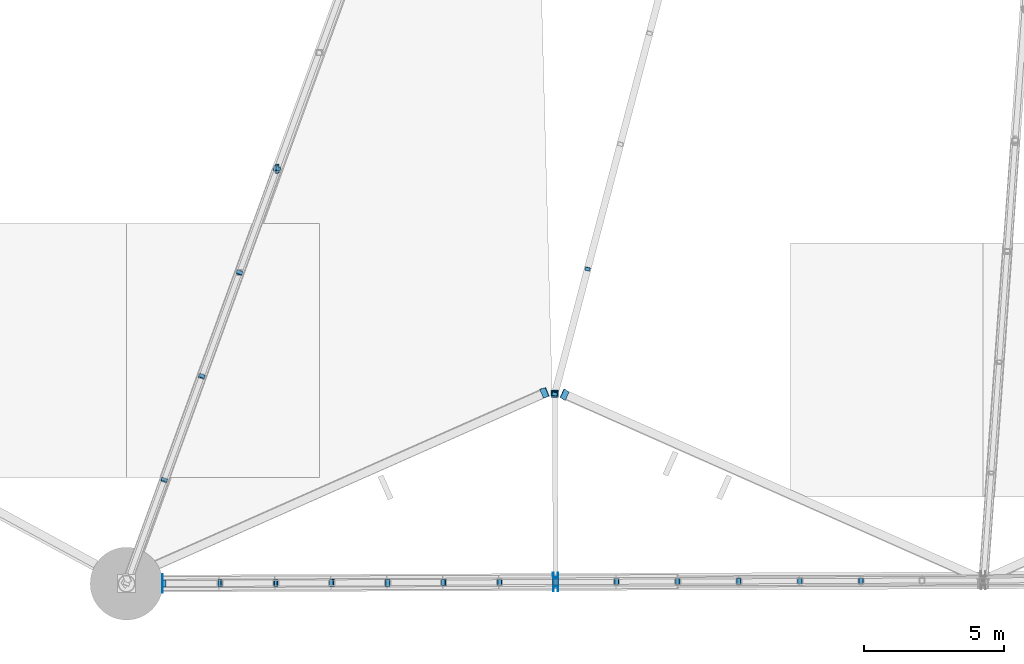
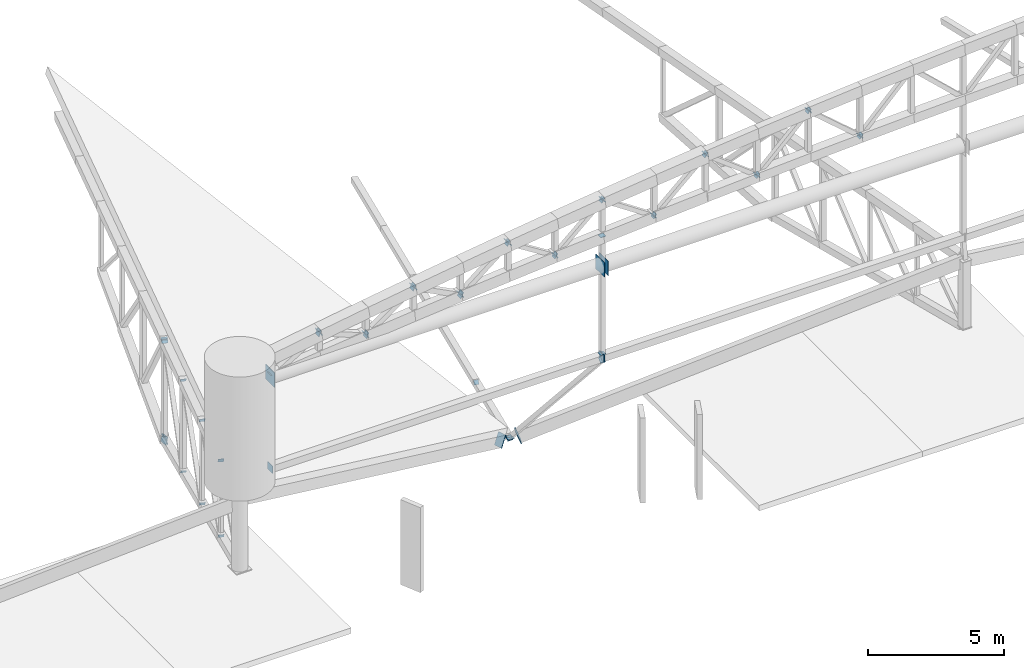
# One storey, part 127 of 188: 50 discrete accessories.
"""IFC4 building model written with IfcOpenShell, lengths in metres."""

from ifc_helpers import new_model, si_unit, direction, frame, origin, origin_2d, place, context, subcontext, project, spatial, rectangle, extrude, material, material_profile, profile_set, type_object, element, save


model = new_model("IFC4")

# Units and contexts
model_context = context("Model", 3, precision=1e-05, world=origin(), true_north=direction((0.0, 1.0)))
body_context = subcontext(model_context, "Body", "Model", "MODEL_VIEW")
ifc_project = project(units=[si_unit("LENGTHUNIT", "METRE"), si_unit("AREAUNIT", "SQUARE_METRE"), si_unit("VOLUMEUNIT", "CUBIC_METRE"), si_unit("PLANEANGLEUNIT", "RADIAN"), si_unit("MASSUNIT", "GRAM", prefix="KILO")], contexts=[model_context])

# Site, building, storey
site_placement = place(None, origin())
site = spatial("IfcSite", under=ifc_project, at=site_placement, CompositionType="ELEMENT")
building_placement = place(site_placement, origin())
building = spatial("IfcBuilding", under=site, at=building_placement, Name="Meseta Stadium", CompositionType="ELEMENT")
storey_placement = place(building_placement, frame((0.0, 0.0, 30.0)))
storey = spatial("IfcBuildingStorey", under=building, at=storey_placement, Name="ROOF", CompositionType="ELEMENT", Elevation=30.0)

# Discrete accessories
ifc_material_1 = material(Name="Steel S355", Category="steel")
ifc_material_profile_1 = material_profile(ifc_material_1, rectangle(XDim=0.179931640625, YDim=0.179931640625, at=origin_2d()), Name="PL 180x180")
ifc_profile_set_1 = profile_set([ifc_material_profile_1], Name="Steel S355")
discrete_accessory_type_1 = type_object("IfcDiscreteAccessoryType", Name="End plate 180x180x20", PredefinedType="ANCHORPLATE", material=ifc_profile_set_1)
for number, where, z_axis, x_axis, name in (
    (1, (-21.82470703125, -94.128173828125, 3.093994140625), (-0.19574886238, -0.746292537825, 0.636183802736), (0.967279624391, -0.253712688365, 0.0), "End plate of ROOF TRUSS RT-45 diagonal"),
    (2, (-23.0, -98.60009765625, 3.740234375), (-0.194228544194, -0.740496324741, 0.643382052644), (0.967279624391, -0.253712688365, 0.0), "End plate of ROOF TRUSS RT-45 diagonal"),
):
    element("IfcDiscreteAccessory", number, at=place(storey_placement, frame(where, z_axis=z_axis, x_axis=x_axis)), inside=storey, type_object=discrete_accessory_type_1, Name=name, PredefinedType="ANCHORPLATE", context=body_context, shape_type="SweptSolid", body=[
        extrude(rectangle(XDim=0.179931640625, YDim=0.179931640625, at=origin_2d()), origin(), (0.0, 0.0, 1.0), 0.02001953125),
    ])
ifc_material_2 = material(Name="Steel S355", Category="steel")
ifc_material_profile_2 = material_profile(ifc_material_2, rectangle(XDim=0.219970703125, YDim=0.219970703125, at=origin_2d()), Name="PL 220x220")
ifc_profile_set_2 = profile_set([ifc_material_profile_2], Name="Steel S355")
discrete_accessory_type_2 = type_object("IfcDiscreteAccessoryType", Name="End plate 220x220x20", PredefinedType="ANCHORPLATE", material=ifc_profile_set_2)
for number, where, z_axis, x_axis, name in (
    (3, (-32.938720703125, -90.536376953125, 6.71142578125), (-0.269074148762, -0.733838587532, -0.623762799402), (0.938876315887, -0.344254649158, 0.0), "End plate of ROOF TRUSS RT-44 diagonal"),
    (4, (-34.291259765625, -94.263427734375, 3.556396484375), (-0.269074148762, -0.733838587532, -0.623762799402), (0.938876315887, -0.344254649158, 0.0), "End plate of ROOF TRUSS RT-44 diagonal"),
    (5, (-34.28564453125, -94.248046875, 7.638916015625), (-0.280843051262, -0.76926574911, -0.573896669971), (0.93935731982, -0.342939973903, 0.0), "End plate of ROOF TRUSS RT-44 diagonal"),
    (6, (-35.638671875, -97.9755859375, 4.841796875), (-0.280843051262, -0.76926574911, -0.573896669971), (0.93935731982, -0.342939973903, 0.0), "End plate of ROOF TRUSS RT-44 diagonal"),
    (7, (-35.6328125, -97.95947265625, 8.56640625), (-0.291450207949, -0.801488071859, -0.522181622575), (0.939793423488, -0.341743063087, 0.0), "End plate of ROOF TRUSS RT-44 diagonal"),
    (8, (-36.986083984375, -101.687744140625, 6.127197265625), (-0.2802794651, -0.804280204199, -0.524000739099), (0.944303613372, -0.32907550163, 0.0), "End plate of ROOF TRUSS RT-44 diagonal"),
    (9, (-36.97998046875, -101.671142578125, 9.49365234375), (-0.305583285667, -0.831186537015, -0.464486594215), (0.938578553396, -0.345065644631, 0.0), "End plate of ROOF TRUSS RT-44 diagonal"),
):
    element("IfcDiscreteAccessory", number, at=place(storey_placement, frame(where, z_axis=z_axis, x_axis=x_axis)), inside=storey, type_object=discrete_accessory_type_2, Name=name, PredefinedType="ANCHORPLATE", context=body_context, shape_type="SweptSolid", body=[
        extrude(rectangle(XDim=0.219970703125, YDim=0.219970703125, at=origin_2d()), origin(), (0.0, 0.0, 1.0), 0.02001953125),
    ])
discrete_accessory_1_placement = place(storey_placement, frame((-26.99658203125, -105.3564453125, 17.975830078125), z_axis=(0.846574631154, 0.012093923302, -0.532132625297), x_axis=(-0.014284256783, 0.9998979748, 0.0)))
element("IfcDiscreteAccessory", 10, at=discrete_accessory_1_placement, inside=storey, type_object=discrete_accessory_type_2, Name="End plate of GABLE ARCH GA-S diagonal", PredefinedType="ANCHORPLATE", context=body_context, shape_type="SweptSolid", body=[
    extrude(rectangle(XDim=0.219970703125, YDim=0.219970703125, at=origin_2d()), origin(), (0.0, 0.0, 1.0), 0.020263671875),
])
for number, where, z_axis, x_axis, name in (
    (11, (-24.976806640625, -105.3486328125, 16.70166015625), (0.8431579539, 0.0, -0.537665941617), (0.0, 1.0, 0.0), "End plate of GABLE ARCH GA-S diagonal"),
    (12, (-24.99169921875, -105.3486328125, 16.688232421875), (0.742688444175, 0.0, 0.669637121797), (0.0, 1.0, 0.0), "End plate of GABLE ARCH GA-S diagonal"),
    (13, (-22.97412109375, -105.3408203125, 18.473388671875), (0.754081595886, 0.0, 0.656780744804), (0.0, 1.0, 0.0), "End plate of GABLE ARCH GA-S diagonal"),
    (14, (-22.99072265625, -105.341064453125, 18.484619140625), (0.828221974607, 0.012179734921, -0.560267806352), (-0.014704292442, 0.999891886048, 0.0), "End plate of GABLE ARCH GA-S diagonal"),
    (15, (-20.787353515625, -105.33251953125, 17.004638671875), (0.833932205727, 0.0, -0.551866900848), (0.0, 1.0, 0.0), "End plate of GABLE ARCH GA-S diagonal"),
):
    element("IfcDiscreteAccessory", number, at=place(storey_placement, frame(where, z_axis=z_axis, x_axis=x_axis)), inside=storey, type_object=discrete_accessory_type_2, Name=name, PredefinedType="ANCHORPLATE", context=body_context, shape_type="SweptSolid", body=[
        extrude(rectangle(XDim=0.219970703125, YDim=0.219970703125, at=origin_2d()), origin(), (0.0, 0.0, 1.0), 0.02001953125),
    ])
discrete_accessory_2_placement = place(storey_placement, frame((-20.80224609375, -105.33251953125, 16.991455078125), z_axis=(0.748762225055, 0.0, 0.662838691033), x_axis=(0.0, 1.0, 0.0)))
element("IfcDiscreteAccessory", 16, at=discrete_accessory_2_placement, inside=storey, type_object=discrete_accessory_type_2, Name="End plate of GABLE ARCH GA-S diagonal", PredefinedType="ANCHORPLATE", context=body_context, shape_type="SweptSolid", body=[
    extrude(rectangle(XDim=0.219970703125, YDim=0.219970703125, at=origin_2d()), origin(), (0.0, 0.0, 1.0), 0.019775390625),
])
for number, where, z_axis, x_axis, name in (
    (17, (-18.6005859375, -105.323974609375, 18.9609375), (0.742688444175, 0.0, 0.669637121797), (0.0, 1.0, 0.0), "End plate of GABLE ARCH GA-S diagonal"),
    (18, (-18.616455078125, -105.32421875, 18.97314453125), (0.792565064524, 0.012193308685, -0.60966543425), (-0.015382795043, 0.999881677808, 0.0), "End plate of GABLE ARCH GA-S diagonal"),
    (19, (-16.4140625, -105.315673828125, 17.270751953125), (0.792623989105, 0.0, -0.60971076085), (0.0, 1.0, 0.0), "End plate of GABLE ARCH GA-S diagonal"),
    (20, (-16.428466796875, -105.315673828125, 17.2568359375), (0.719191390085, 0.0, 0.694812020929), (0.0, 1.0, 0.0), "End plate of GABLE ARCH GA-S diagonal"),
):
    element("IfcDiscreteAccessory", number, at=place(storey_placement, frame(where, z_axis=z_axis, x_axis=x_axis)), inside=storey, type_object=discrete_accessory_type_2, Name=name, PredefinedType="ANCHORPLATE", context=body_context, shape_type="SweptSolid", body=[
        extrude(rectangle(XDim=0.219970703125, YDim=0.219970703125, at=origin_2d()), origin(), (0.0, 0.0, 1.0), 0.02001953125),
    ])
discrete_accessory_3_placement = place(storey_placement, frame((-14.227294921875, -105.30712890625, 19.3759765625), z_axis=(0.725306290926, 0.0, 0.688426310031), x_axis=(0.0, 1.0, 0.0)))
element("IfcDiscreteAccessory", 21, at=discrete_accessory_3_placement, inside=storey, type_object=discrete_accessory_type_2, Name="End plate of GABLE ARCH GA-S diagonal", PredefinedType="ANCHORPLATE", context=body_context, shape_type="SweptSolid", body=[
    extrude(rectangle(XDim=0.219970703125, YDim=0.219970703125, at=origin_2d()), origin(), (0.0, 0.0, 1.0), 0.019775390625),
])
for number, where, z_axis, x_axis, name in (
    (22, (-14.242431640625, -105.307373046875, 19.388916015625), (0.760064224581, 0.012259100396, -0.649732321013), (-0.016126934718, 0.999869952532, 0.0), "End plate of GABLE ARCH GA-S diagonal"),
    (23, (-12.04052734375, -105.298828125, 17.48779296875), (0.754081595886, 0.0, -0.656780744804), (0.0, 1.0, 0.0), "End plate of GABLE ARCH GA-S diagonal"),
    (24, (-12.054443359375, -105.298828125, 17.473388671875), (0.694812020929, 0.0, 0.719191390085), (0.0, 1.0, 0.0), "End plate of GABLE ARCH GA-S diagonal"),
    (25, (-22.97412109375, -105.3408203125, 16.87255859375), (0.0, 0.0, -1.0), (1.0, 0.0, 0.0), "End plate of GABLE ARCH GA-S hanger RT-45"),
    (26, (-22.97412109375, -105.3408203125, 11.60009765625), (0.0, 0.0, -1.0), (1.0, 0.0, 0.0), "End plate of GABLE ARCH GA-S hanger RT-45"),
    (27, (-22.97412109375, -105.354248046875, 11.31494140625), (0.0, 0.669637121797, -0.742688444175), (-1.0, 0.0, 0.0), "End plate of GABLE ARCH GA-S hanger RT-45"),
    (28, (-23.0, -98.60009765625, 3.740234375), (0.0, 0.669637121797, -0.742688444175), (-1.0, 0.0, 0.0), "End plate of GABLE ARCH GA-S hanger RT-45"),
):
    element("IfcDiscreteAccessory", number, at=place(storey_placement, frame(where, z_axis=z_axis, x_axis=x_axis)), inside=storey, type_object=discrete_accessory_type_2, Name=name, PredefinedType="ANCHORPLATE", context=body_context, shape_type="SweptSolid", body=[
        extrude(rectangle(XDim=0.219970703125, YDim=0.219970703125, at=origin_2d()), origin(), (0.0, 0.0, 1.0), 0.02001953125),
    ])
ifc_material_3 = material(Name="Steel S355", Category="steel")
ifc_material_profile_3 = material_profile(ifc_material_3, rectangle(XDim=0.239990234375, YDim=0.239990234375, at=origin_2d()), Name="PL 240x240")
ifc_profile_set_3 = profile_set([ifc_material_profile_3], Name="Steel S355")
discrete_accessory_type_3 = type_object("IfcDiscreteAccessoryType", Name="End plate 240x240x20", PredefinedType="ANCHORPLATE", material=ifc_profile_set_3)
discrete_accessory_4_placement = place(storey_placement, frame((-32.944091796875, -90.551025390625, 6.698974609375), z_axis=(-0.219105253622, -0.632970732686, 0.742523359497), x_axis=(0.94498607344, -0.327110563883, 0.0)))
element("IfcDiscreteAccessory", 29, at=discrete_accessory_4_placement, inside=storey, type_object=discrete_accessory_type_3, Name="End plate of ROOF TRUSS RT-44 diagonal", PredefinedType="ANCHORPLATE", context=body_context, shape_type="SweptSolid", body=[
    extrude(rectangle(XDim=0.239990234375, YDim=0.239990234375, at=origin_2d()), origin(), (0.0, 0.0, 1.0), 0.02001953125),
])
ifc_material_4 = material(Name="Steel S355", Category="steel")
ifc_material_profile_4 = material_profile(ifc_material_4, rectangle(XDim=0.260009765625, YDim=0.260009765625, at=origin_2d()), Name="PL 260x260")
ifc_profile_set_4 = profile_set([ifc_material_profile_4], Name="Steel S355")
discrete_accessory_type_4 = type_object("IfcDiscreteAccessoryType", Name="End plate 260x260x20", PredefinedType="ANCHORPLATE", material=ifc_profile_set_4)
for number, where, z_axis, x_axis, name in (
    (30, (-23.0, -98.60009765625, 3.740234375), (0.0, 0.0, 1.0), (1.0, 0.0, 0.0), "End plate of ROOF TRUSS RT-45 post"),
    (31, (-37.010498046875, -105.39501953125, 15.53955078125), (0.85201286723, 0.012171612389, 0.523379332727), (-0.014284256783, 0.9998979748, 0.0), "End plate of GABLE ARCH GA-S diagonal"),
):
    element("IfcDiscreteAccessory", number, at=place(storey_placement, frame(where, z_axis=z_axis, x_axis=x_axis)), inside=storey, type_object=discrete_accessory_type_4, Name=name, PredefinedType="ANCHORPLATE", context=body_context, shape_type="SweptSolid", body=[
        extrude(rectangle(XDim=0.260009765625, YDim=0.260009765625, at=origin_2d()), origin(), (0.0, 0.0, 1.0), 0.02001953125),
    ])
discrete_accessory_5_placement = place(storey_placement, frame((-34.990478515625, -105.38720703125, 16.77978515625), z_axis=(0.848624395177, 0.012298904278, 0.528852883951), x_axis=(-0.014491231835, 0.999894996587, 0.0)))
element("IfcDiscreteAccessory", 32, at=discrete_accessory_5_placement, inside=storey, type_object=discrete_accessory_type_4, Name="End plate of GABLE ARCH GA-S diagonal", PredefinedType="ANCHORPLATE", context=body_context, shape_type="SweptSolid", body=[
    extrude(rectangle(XDim=0.260009765625, YDim=0.260009765625, at=origin_2d()), origin(), (0.0, 0.0, 1.0), 0.019775390625),
])
discrete_accessory_6_placement = place(storey_placement, frame((-35.00927734375, -105.38720703125, 16.787353515625), z_axis=(0.927643517938, 0.0, -0.373466870858), x_axis=(0.0, 1.0, 0.0)))
element("IfcDiscreteAccessory", 33, at=discrete_accessory_6_placement, inside=storey, type_object=discrete_accessory_type_4, Name="End plate of GABLE ARCH GA-S diagonal", PredefinedType="ANCHORPLATE", context=body_context, shape_type="SweptSolid", body=[
    extrude(rectangle(XDim=0.260009765625, YDim=0.260009765625, at=origin_2d()), origin(), (0.0, 0.0, 1.0), 0.020263671875),
])
for number, where, z_axis, x_axis, name in (
    (34, (-32.98779296875, -105.37939453125, 15.982421875), (0.930155221331, 0.0, -0.367166534736), (0.0, 1.0, 0.0), "End plate of GABLE ARCH GA-S diagonal"),
    (35, (-33.004150390625, -105.37939453125, 15.970947265625), (0.81865747399, 0.0, 0.57428210862), (0.0, 1.0, 0.0), "End plate of GABLE ARCH GA-S diagonal"),
    (36, (-30.985107421875, -105.371826171875, 17.39990234375), (0.818596368748, 0.01221785625, 0.574239243749), (-0.014923710973, 0.999888635224, 0.0), "End plate of GABLE ARCH GA-S diagonal"),
    (37, (-31.0029296875, -105.371826171875, 17.4091796875), (0.887017774073, 0.0, -0.461735279655), (0.0, 1.0, 0.0), "End plate of GABLE ARCH GA-S diagonal"),
    (38, (-28.982421875, -105.364013671875, 16.36572265625), (0.887017774073, 0.0, -0.461735279655), (0.0, 1.0, 0.0), "End plate of GABLE ARCH GA-S diagonal"),
    (39, (-28.998046875, -105.364013671875, 16.353271484375), (0.782059551443, 0.0, 0.623203705056), (0.0, 1.0, 0.0), "End plate of GABLE ARCH GA-S diagonal"),
    (40, (-26.9794921875, -105.356201171875, 17.965087890625), (0.782059551443, 0.0, 0.623203705056), (0.0, 1.0, 0.0), "End plate of GABLE ARCH GA-S diagonal"),
):
    element("IfcDiscreteAccessory", number, at=place(storey_placement, frame(where, z_axis=z_axis, x_axis=x_axis)), inside=storey, type_object=discrete_accessory_type_4, Name=name, PredefinedType="ANCHORPLATE", context=body_context, shape_type="SweptSolid", body=[
        extrude(rectangle(XDim=0.260009765625, YDim=0.260009765625, at=origin_2d()), origin(), (0.0, 0.0, 1.0), 0.02001953125),
    ])
ifc_material_5 = material(Name="Steel S355", Category="steel")
ifc_material_profile_5 = material_profile(ifc_material_5, rectangle(XDim=0.340087890625, YDim=0.340087890625, at=origin_2d()), Name="PL 340x340")
ifc_profile_set_5 = profile_set([ifc_material_profile_5], Name="Steel S355")
discrete_accessory_type_5 = type_object("IfcDiscreteAccessoryType", Name="End plate 340x340x20", PredefinedType="ANCHORPLATE", material=ifc_profile_set_5)
discrete_accessory_7_placement = place(storey_placement, frame((-32.944091796875, -90.551025390625, 2.27099609375), z_axis=(0.965787491637, -0.036675474366, 0.256728320562), x_axis=(0.037947331922, 0.999279740613, 0.0)))
element("IfcDiscreteAccessory", 41, at=discrete_accessory_7_placement, inside=storey, type_object=discrete_accessory_type_5, Name="End plate of ROOF PIVOT STRUT RT-43/44", PredefinedType="ANCHORPLATE", context=body_context, shape_type="SweptSolid", body=[
    extrude(rectangle(XDim=0.340087890625, YDim=0.340087890625, at=origin_2d()), origin(), (0.0, 0.0, 1.0), 0.02001953125),
])
for number, where, z_axis, x_axis, name in (
    (42, (-32.96337890625, -90.552490234375, 2.275634765625), (0.969635410433, 0.073643195729, -0.233203453142), (-0.075731260606, 0.997128264652, 0.0), "End plate of ROOF PIVOT STRUT RT-44/45"),
    (43, (-37.05322265625, -105.39501953125, 11.449951171875), (1.0, 0.0, 0.0), (0.0, 1.0, 0.0), "End plate of GABLE ARCH GA-S sill beam 01"),
):
    element("IfcDiscreteAccessory", number, at=place(storey_placement, frame(where, z_axis=z_axis, x_axis=x_axis)), inside=storey, type_object=discrete_accessory_type_5, Name=name, PredefinedType="ANCHORPLATE", context=body_context, shape_type="SweptSolid", body=[
        extrude(rectangle(XDim=0.340087890625, YDim=0.340087890625, at=origin_2d()), origin(), (0.0, 0.0, 1.0), 0.019775390625),
    ])
for number, where, z_axis, x_axis, name in (
    (44, (-22.97412109375, -105.3408203125, 11.449951171875), (1.0, 0.0, 0.0), (0.0, 1.0, 0.0), "End plate of GABLE ARCH GA-S sill beam 01"),
    (45, (-22.994140625, -105.341064453125, 11.449951171875), (0.999925647793, 0.012194215217, 0.0), (-0.012194215217, 0.999925647793, 0.0), "End plate of GABLE ARCH GA-S sill beam 02"),
):
    element("IfcDiscreteAccessory", number, at=place(storey_placement, frame(where, z_axis=z_axis, x_axis=x_axis)), inside=storey, type_object=discrete_accessory_type_5, Name=name, PredefinedType="ANCHORPLATE", context=body_context, shape_type="SweptSolid", body=[
        extrude(rectangle(XDim=0.340087890625, YDim=0.340087890625, at=origin_2d()), origin(), (0.0, 0.0, 1.0), 0.02001953125),
    ])
ifc_material_6 = material(Name="Steel S355", Category="steel")
ifc_material_profile_6 = material_profile(ifc_material_6, rectangle(XDim=0.340087890625, YDim=0.5400390625, at=origin_2d()), Name="PL 340x540")
ifc_profile_set_6 = profile_set([ifc_material_profile_6], Name="Steel S355")
discrete_accessory_type_6 = type_object("IfcDiscreteAccessoryType", Name="End plate 340x540x20", PredefinedType="ANCHORPLATE", material=ifc_profile_set_6)
discrete_accessory_8_placement = place(storey_placement, frame((-23.3779296875, -98.568359375, 3.751953125), z_axis=(0.84791926469, 0.368660549865, -0.380949234861), x_axis=(-0.377493710186, 0.924414801087, 0.054367033218)))
element("IfcDiscreteAccessory", 46, at=discrete_accessory_8_placement, inside=storey, type_object=discrete_accessory_type_6, Name="End plate of RIM RING BEAM 45", PredefinedType="ANCHORPLATE", context=body_context, shape_type="SweptSolid", body=[
    extrude(rectangle(XDim=0.340087890625, YDim=0.5400390625, at=origin_2d()), origin(), (0.0, 0.0, 1.0), 0.019775390625),
])
discrete_accessory_9_placement = place(storey_placement, frame((-22.661376953125, -98.62890625, 3.726806640625), z_axis=(0.85131948188, -0.36485120652, 0.377012913404), x_axis=(0.417290642873, 0.906440619949, -0.065068593634)))
element("IfcDiscreteAccessory", 47, at=discrete_accessory_9_placement, inside=storey, type_object=discrete_accessory_type_6, Name="End plate of RIM RING BEAM 46", PredefinedType="ANCHORPLATE", context=body_context, shape_type="SweptSolid", body=[
    extrude(rectangle(XDim=0.340087890625, YDim=0.5400390625, at=origin_2d()), origin(), (0.0, 0.0, 1.0), 0.02001953125),
])
ifc_material_7 = material(Name="Steel S355", Category="steel")
ifc_material_profile_7 = material_profile(ifc_material_7, rectangle(XDim=0.64990234375, YDim=0.64990234375, at=origin_2d()), Name="PL 650x650")
ifc_profile_set_7 = profile_set([ifc_material_profile_7], Name="Steel S355")
discrete_accessory_type_7 = type_object("IfcDiscreteAccessoryType", Name="End plate 650x650x20", PredefinedType="ANCHORPLATE", material=ifc_profile_set_7)
discrete_accessory_10_placement = place(storey_placement, frame((-37.05322265625, -105.39501953125, 15.550048828125), z_axis=(1.0, 0.0, 0.0), x_axis=(0.0, 1.0, 0.0)))
element("IfcDiscreteAccessory", 48, at=discrete_accessory_10_placement, inside=storey, type_object=discrete_accessory_type_7, Name="End plate of GABLE ARCH GA-S tie 01", PredefinedType="ANCHORPLATE", context=body_context, shape_type="SweptSolid", body=[
    extrude(rectangle(XDim=0.64990234375, YDim=0.64990234375, at=origin_2d()), origin(), (0.0, 0.0, 1.0), 0.019775390625),
])
for number, where, z_axis, x_axis, name in (
    (49, (-23.06396484375, -105.34130859375, 15.550048828125), (0.999925647793, 0.012194215217, 0.0), (-0.012194215217, 0.999925647793, 0.0), "End plate of GABLE ARCH GA-S tie 01"),
    (50, (-22.904052734375, -105.340576171875, 15.550048828125), (1.0, 0.0, 0.0), (0.0, 1.0, 0.0), "End plate of GABLE ARCH GA-S tie 02"),
):
    element("IfcDiscreteAccessory", number, at=place(storey_placement, frame(where, z_axis=z_axis, x_axis=x_axis)), inside=storey, type_object=discrete_accessory_type_7, Name=name, PredefinedType="ANCHORPLATE", context=body_context, shape_type="SweptSolid", body=[
        extrude(rectangle(XDim=0.64990234375, YDim=0.64990234375, at=origin_2d()), origin(), (0.0, 0.0, 1.0), 0.02001953125),
    ])

save(model, "model.ifc")
